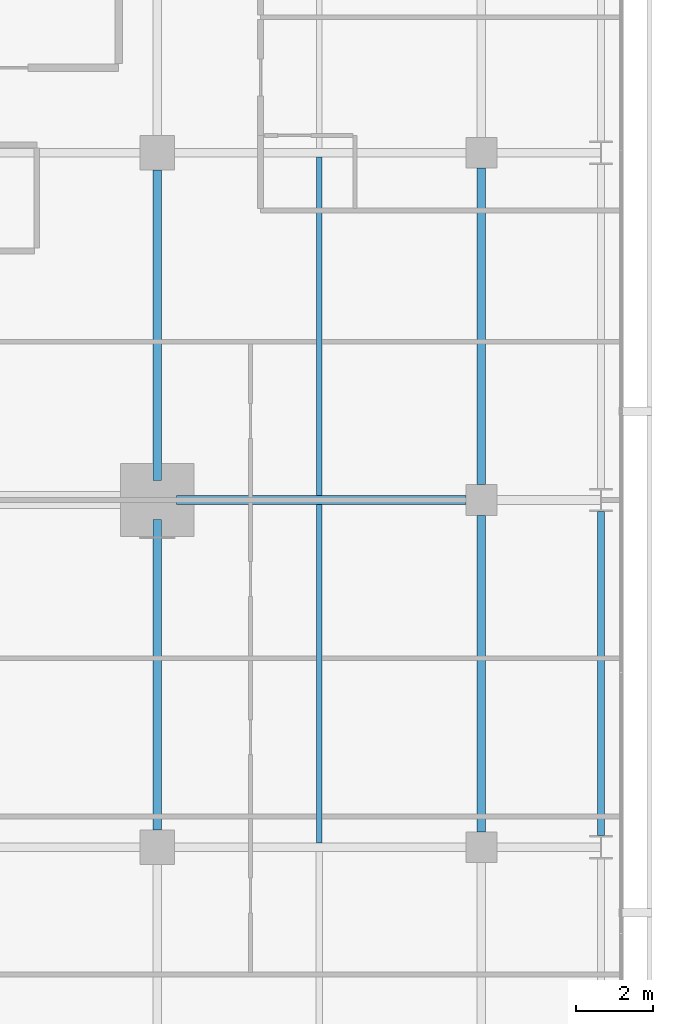
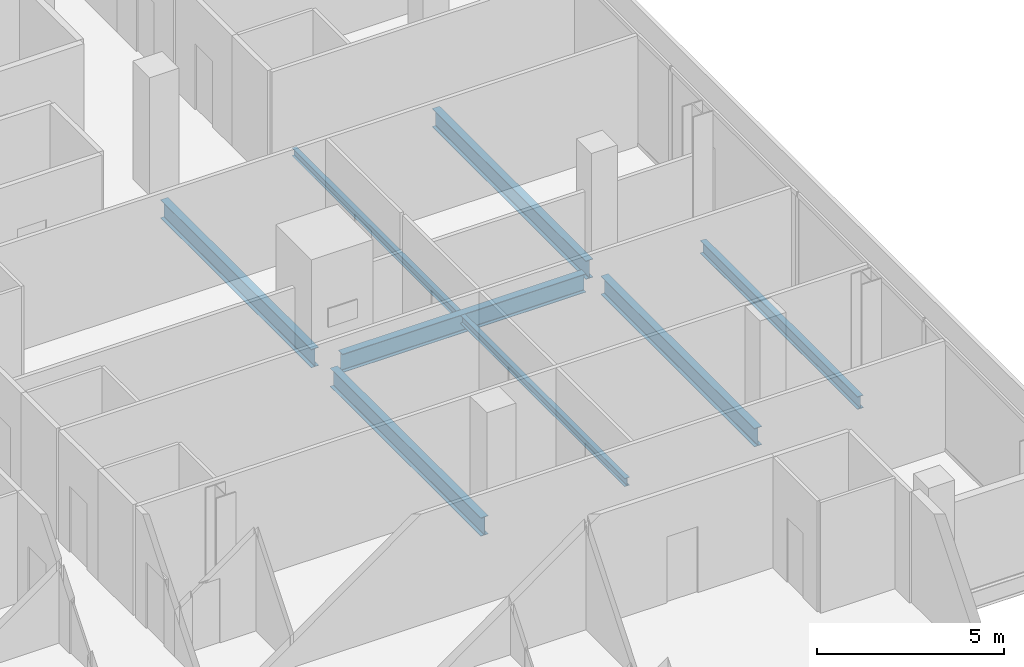
# One storey, part 16 of 34: 8 beams.
"""IFC4 building model written with IfcOpenShell, lengths in metres."""

from ifc_helpers import new_model, si_unit, direction, frame, origin, origin_2d, place, context, subcontext, project, spatial, i_section, extrude, material, material_profile, profile_set, type_object, element, save


model = new_model("IFC4")

# Units and contexts
model_context = context("Model", 3, precision=1e-05, world=origin(), true_north=direction((0.0, 1.0)))
body_context = subcontext(model_context, "Body", "Model", "MODEL_VIEW")
ifc_project = project(units=[si_unit("LENGTHUNIT", "METRE"), si_unit("AREAUNIT", "SQUARE_METRE"), si_unit("VOLUMEUNIT", "CUBIC_METRE"), si_unit("PLANEANGLEUNIT", "RADIAN"), si_unit("MASSUNIT", "GRAM", prefix="KILO")], contexts=[model_context])

# Site, building, storey
site_placement = place(None, origin())
site = spatial("IfcSite", under=ifc_project, at=site_placement, CompositionType="ELEMENT")
building_placement = place(site_placement, origin())
building = spatial("IfcBuilding", under=site, at=building_placement, Name="Maruvema Waterfront Hotel and Observation Tower", CompositionType="ELEMENT")
storey_placement = place(building_placement, frame((0.0, 0.0, 181.300048828125)))
storey = spatial("IfcBuildingStorey", under=building, at=storey_placement, Name="L44", CompositionType="ELEMENT", Elevation=181.300048828125)

# Beams
ifc_material_1 = material(Name="Steel ASTM A572 Grade 50", Category="steel")
ifc_material_profile_1 = material_profile(ifc_material_1, i_section(OverallWidth=0.180908203125, OverallDepth=0.4169921875, WebThickness=0.010986328125, FlangeThickness=0.018310546875, FilletRadius=0.014892578125, at=origin_2d()), Name="W410x85.0")
ifc_profile_set_1 = profile_set([ifc_material_profile_1], Name="Steel ASTM A572 Grade 50")
beam_type_1 = type_object("IfcBeamType", Name="Perimeter Spandrel Beam W410x85.0", PredefinedType="SPANDREL", material=ifc_profile_set_1)
beam_1_placement = place(storey_placement, frame((61.89990234375, 18.300048828125, -0.448486328125), z_axis=(0.0, 1.0, 0.0), x_axis=(-1.0, 0.0, 0.0)))
element("IfcBeam", 1, at=beam_1_placement, inside=storey, type_object=beam_type_1, Name="L44 Floor Girder NS-30", PredefinedType="SPANDREL", context=body_context, shape_type="SweptSolid", body=[
    extrude(i_section(OverallWidth=0.180908203125, OverallDepth=0.4169921875, WebThickness=0.010986328125, FlangeThickness=0.018310546875, FilletRadius=0.014892578125, at=origin_2d()), origin(), (0.0, 0.0, 1.0), 8.39990234375),
])
ifc_material_2 = material(Name="Steel ASTM A572 Grade 50", Category="steel")
ifc_material_profile_2 = material_profile(ifc_material_2, i_section(OverallWidth=0.22802734375, OverallDepth=0.60302734375, WebThickness=0.010498046875, FlangeThickness=0.014892578125, FilletRadius=0.01806640625, at=origin_2d()), Name="W610x101.0")
ifc_profile_set_2 = profile_set([ifc_material_profile_2], Name="Steel ASTM A572 Grade 50")
beam_type_2 = type_object("IfcBeamType", Name="Primary Floor Girder W610x101.0", PredefinedType="BEAM", material=ifc_profile_set_2)
beam_2_placement = place(storey_placement, frame((50.89990234375, 27.0, -0.54150390625), z_axis=(1.0, 0.0, 0.0), x_axis=(0.0, 1.0, 0.0)))
element("IfcBeam", 2, at=beam_2_placement, inside=storey, type_object=beam_type_2, Name="L44 Floor Girder EW-21", PredefinedType="BEAM", context=body_context, shape_type="SweptSolid", body=[
    extrude(i_section(OverallWidth=0.22802734375, OverallDepth=0.60302734375, WebThickness=0.010498046875, FlangeThickness=0.014892578125, FilletRadius=0.01806640625, at=origin_2d()), origin(), (0.0, 0.0, 1.0), 7.5),
])
for number, where, z_axis, x_axis, name in (
    (3, (50.39990234375, 18.449951171875, -0.54150390625), (0.0, 1.0, 0.0), (-1.0, 0.0, 0.0), "L44 Floor Girder NS-22"),
    (4, (50.39990234375, 27.5, -0.54150390625), (0.0, 1.0, 0.0), (-1.0, 0.0, 0.0), "L44 Floor Girder NS-23"),
):
    element("IfcBeam", number, at=place(storey_placement, frame(where, z_axis=z_axis, x_axis=x_axis)), inside=storey, type_object=beam_type_2, Name=name, PredefinedType="BEAM", context=body_context, shape_type="SweptSolid", body=[
        extrude(i_section(OverallWidth=0.22802734375, OverallDepth=0.60302734375, WebThickness=0.010498046875, FlangeThickness=0.014892578125, FilletRadius=0.01806640625, at=origin_2d()), origin(), (0.0, 0.0, 1.0), 8.050048828125),
    ])
for number, where, z_axis, x_axis, name in (
    (5, (58.800048828125, 18.39990234375, -0.54150390625), (0.0, 1.0, 0.0), (-1.0, 0.0, 0.0), "L44 Floor Girder NS-26"),
    (6, (58.800048828125, 27.39990234375, -0.54150390625), (0.0, 1.0, 0.0), (-1.0, 0.0, 0.0), "L44 Floor Girder NS-27"),
):
    element("IfcBeam", number, at=place(storey_placement, frame(where, z_axis=z_axis, x_axis=x_axis)), inside=storey, type_object=beam_type_2, Name=name, PredefinedType="BEAM", context=body_context, shape_type="SweptSolid", body=[
        extrude(i_section(OverallWidth=0.22802734375, OverallDepth=0.60302734375, WebThickness=0.010498046875, FlangeThickness=0.014892578125, FilletRadius=0.01806640625, at=origin_2d()), origin(), (0.0, 0.0, 1.0), 8.2001953125),
    ])
ifc_material_3 = material(Name="Steel ASTM A572 Grade 50", Category="steel")
ifc_material_profile_3 = material_profile(ifc_material_3, i_section(OverallWidth=0.14599609375, OverallDepth=0.258056640625, WebThickness=0.006103515625, FlangeThickness=0.009033203125, FilletRadius=0.012939453125, at=origin_2d()), Name="W250x32.7")
ifc_profile_set_3 = profile_set([ifc_material_profile_3], Name="Steel ASTM A572 Grade 50")
beam_type_3 = type_object("IfcBeamType", Name="Secondary Floor Joist W250x32.7", PredefinedType="JOIST", material=ifc_profile_set_3)
beam_3_placement = place(storey_placement, frame((54.60009765625, 27.114013671875, -0.369140625), z_axis=(0.0, 1.0, 0.0), x_axis=(-1.0, 0.0, 0.0)))
element("IfcBeam", 7, at=beam_3_placement, inside=storey, type_object=beam_type_3, Name="L44 Secondary Floor Joist JS-13", PredefinedType="JOIST", context=body_context, shape_type="SweptSolid", body=[
    extrude(i_section(OverallWidth=0.14599609375, OverallDepth=0.258056640625, WebThickness=0.006103515625, FlangeThickness=0.009033203125, FilletRadius=0.012939453125, at=origin_2d()), origin(), (0.0, 0.0, 1.0), 8.77197265625),
])
ifc_material_4 = material(Name="Steel ASTM A572 Grade 50", Category="steel")
ifc_material_profile_4 = material_profile(ifc_material_4, i_section(OverallWidth=0.14794921875, OverallDepth=0.26611328125, WebThickness=0.007568359375, FlangeThickness=0.012939453125, FilletRadius=0.012939453125, at=origin_2d()), Name="W250x44.8")
ifc_profile_set_4 = profile_set([ifc_material_profile_4], Name="Steel ASTM A572 Grade 50")
beam_type_4 = type_object("IfcBeamType", Name="Secondary Floor Joist W250x44.8", PredefinedType="JOIST", material=ifc_profile_set_4)
beam_4_placement = place(storey_placement, frame((54.60009765625, 18.114013671875, -0.373046875), z_axis=(0.0, 1.0, 0.0), x_axis=(-1.0, 0.0, 0.0)))
element("IfcBeam", 8, at=beam_4_placement, inside=storey, type_object=beam_type_4, Name="L44 Secondary Floor Joist JS-12", PredefinedType="JOIST", context=body_context, shape_type="SweptSolid", body=[
    extrude(i_section(OverallWidth=0.14794921875, OverallDepth=0.26611328125, WebThickness=0.007568359375, FlangeThickness=0.012939453125, FilletRadius=0.012939453125, at=origin_2d()), origin(), (0.0, 0.0, 1.0), 8.77197265625),
])

save(model, "model.ifc")
